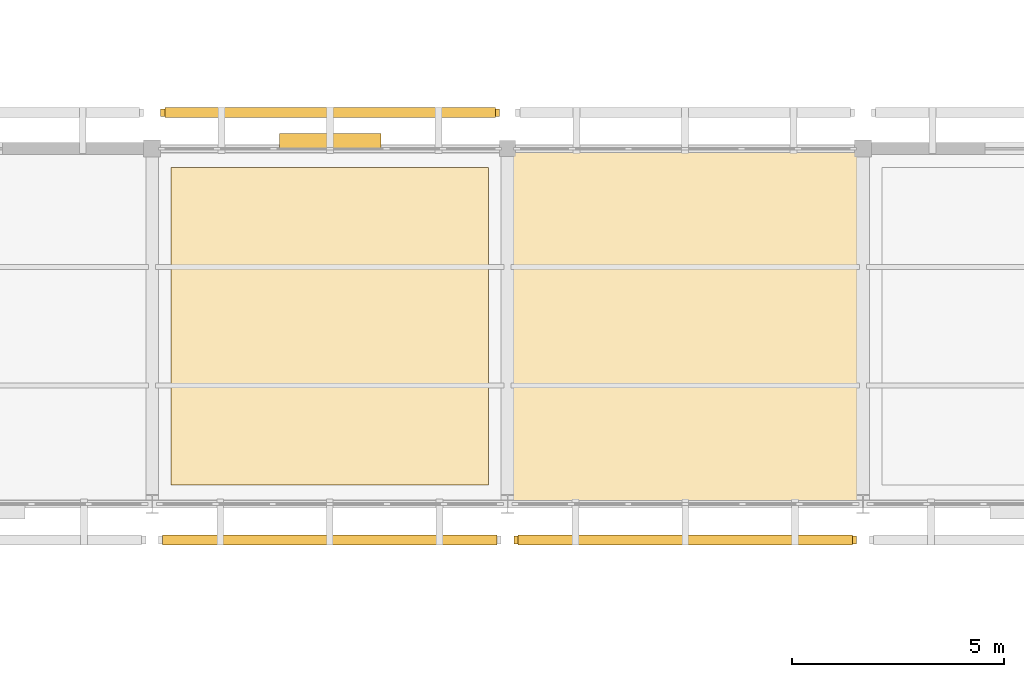
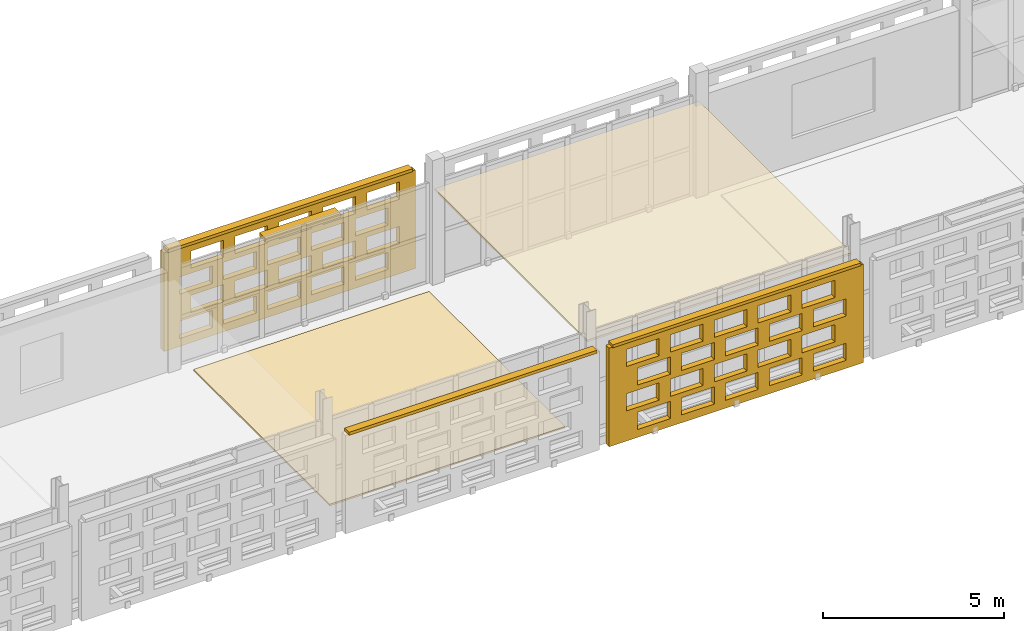
# One storey, part 141 of 166: 4 coverings, 4 shading devices, 40 openings.
"""IFC4 building model written with IfcOpenShell, lengths in metres."""

from ifc_helpers import new_model, si_unit, direction, frame, frame_2d, origin, origin_2d, place, context, subcontext, project, spatial, rectangle, extrude, material, layer, layer_set, type_object, element, save


model = new_model("IFC4")

# Units and contexts
model_context = context("Model", 3, precision=1e-05, world=origin(), true_north=direction((0.0, 1.0)))
body_context = subcontext(model_context, "Body", "Model", "MODEL_VIEW")
ifc_project = project(units=[si_unit("LENGTHUNIT", "METRE"), si_unit("AREAUNIT", "SQUARE_METRE"), si_unit("VOLUMEUNIT", "CUBIC_METRE"), si_unit("PLANEANGLEUNIT", "RADIAN"), si_unit("MASSUNIT", "GRAM", prefix="KILO")], contexts=[model_context])

# Site, building, storey
site_placement = place(None, origin())
site = spatial("IfcSite", under=ifc_project, at=site_placement, CompositionType="ELEMENT")
building_placement = place(site_placement, origin())
building = spatial("IfcBuilding", under=site, at=building_placement, Name="Varnapada Polytechnic", CompositionType="ELEMENT")
storey_placement = place(building_placement, frame((0.0, 0.0, 9.60009765625)))
storey = spatial("IfcBuildingStorey", under=building, at=storey_placement, Name="L02", CompositionType="ELEMENT", Elevation=9.60009765625)

# Covering
ifc_material_1 = material(Name="End-Grain Timber Studio Block Flooring", Category="wood")
ifc_layer_1 = layer(ifc_material_1, 0.054931640625)
ifc_layer_set_1 = layer_set([ifc_layer_1], Name="End-Grain Timber Studio Block Flooring")
covering_type_1 = type_object("IfcCoveringType", Name="Floor Finish FLR-04", PredefinedType="FLOORING", material=ifc_layer_set_1)
covering_1_placement = place(storey_placement, frame((79.800048828125, 88.199951171875, 0.0), z_axis=(0.0, 0.0, 1.0), x_axis=(1.0, 0.0, 0.0)))
element("IfcCovering", 1, at=covering_1_placement, inside=storey, type_object=covering_type_1, Name="L02 floor finish panel (10,11)", PredefinedType="FLOORING", context=body_context, shape_type="SweptSolid", body=[
    extrude(rectangle(XDim=7.5, YDim=7.5, at=origin_2d()), origin(), (0.0, 0.0, 1.0), 0.054931640625),
])

# Shading device
ifc_material_2 = material(Name="Anodised aluminium", Category="aluminium")
ifc_layer_2 = layer(ifc_material_2, 0.35009765625)
ifc_layer_set_2 = layer_set([ifc_layer_2], Name="Anodised aluminium")
shading_device_type_1 = type_object("IfcShadingDeviceType", Name="Solar Louvre LVR-01", PredefinedType="JALOUSIE", material=ifc_layer_set_2)
shading_device_1_placement = place(storey_placement, frame((79.804931640625, 92.580078125, 3.159912109375), z_axis=(0.0, 0.0, 1.0), x_axis=(1.0, 0.0, 0.0)))
element("IfcShadingDevice", 2, at=shading_device_1_placement, inside=storey, type_object=shading_device_type_1, Name="L02 aluminium sun louvre 61", PredefinedType="JALOUSIE", context=body_context, shape_type="SweptSolid", body=[
    extrude(rectangle(XDim=2.39990234375, YDim=0.340087890625, at=origin_2d()), origin(), (0.0, 0.0, 1.0), 0.1201171875),
])

# Covering
ifc_material_3 = material(Name="Deep Acoustic Auditorium Cloud Baffle")
ifc_layer_3 = layer(ifc_material_3, 0.06494140625)
ifc_layer_set_3 = layer_set([ifc_layer_3], Name="Deep Acoustic Auditorium Cloud Baffle")
covering_type_2 = type_object("IfcCoveringType", Name="Suspended Ceiling CLG-07", PredefinedType="CEILING", material=ifc_layer_set_3)
covering_2_placement = place(storey_placement, frame((88.199951171875, 88.199951171875, 3.017333984375), z_axis=(0.0, 0.0, 1.0), x_axis=(1.0, 0.0, 0.0)))
element("IfcCovering", 3, at=covering_2_placement, inside=storey, type_object=covering_type_2, Name="L02 suspended acoustic ceiling (11,11)", PredefinedType="CEILING", context=body_context, shape_type="SweptSolid", body=[
    extrude(rectangle(XDim=8.419921875, YDim=8.419921875, at=origin_2d()), origin(), (0.0, 0.0, 1.0), 0.06494140625),
])

# Covering, openings
ifc_material_4 = material(Name="Earth-toned architectural terracotta screen block", Category="masonry")
ifc_layer_4 = layer(ifc_material_4, 0.1201171875)
ifc_layer_set_4 = layer_set([ifc_layer_4], Name="Earth-toned architectural terracotta screen block")
covering_type_3 = type_object("IfcCoveringType", Name="Terracotta Screen Cladding CLD-01", PredefinedType="CLADDING", material=ifc_layer_set_4)
covering_3_placement = place(storey_placement, frame((75.800048828125, 93.25, 0.0), z_axis=(0.0, 0.0, 1.0), x_axis=(1.0, 0.0, 0.0)))
covering_3 = element("IfcCovering", 4, at=covering_3_placement, inside=storey, type_object=covering_type_3, Name="L02 perforated terracotta block screen (61)", PredefinedType="CLADDING", context=body_context, shape_type="SweptSolid", body=[
    extrude(rectangle(XDim=8.010009765625, YDim=0.179931640625, at=frame_2d((4.0048828125, 0.0))), origin(), (0.0, 0.0, 1.0), 3.31982421875),
])
opening_1_placement = place(covering_3_placement, frame((0.5048828125, 0.0, 0.265625)))
element("IfcOpeningElement", 5, at=opening_1_placement, cuts=covering_3, Name="Screen perforation TBS-L02-060.1", PredefinedType="OPENING", context=body_context, shape_type="SweptSolid", body=[
    extrude(rectangle(XDim=1.0400390625, YDim=0.5810546875, at=frame_2d((0.52001953125, 0.29052734375))), frame((0.0, 0.099853515625, 0.0), z_axis=(0.0, -1.0, 0.0), x_axis=(1.0, 0.0, 0.0)), (0.0, 0.0, 1.0), 0.199951171875),
])
opening_2_placement = place(covering_3_placement, frame((1.905029296875, 0.0, 0.265625)))
element("IfcOpeningElement", 6, at=opening_2_placement, cuts=covering_3, Name="Screen perforation TBS-L02-060.2", PredefinedType="OPENING", context=body_context, shape_type="SweptSolid", body=[
    extrude(rectangle(XDim=1.0400390625, YDim=0.5810546875, at=frame_2d((0.52001953125, 0.29052734375))), frame((0.0, 0.099853515625, 0.0), z_axis=(0.0, -1.0, 0.0), x_axis=(1.0, 0.0, 0.0)), (0.0, 0.0, 1.0), 0.199951171875),
])
opening_3_placement = place(covering_3_placement, frame((3.304931640625, 0.0, 0.265625)))
element("IfcOpeningElement", 7, at=opening_3_placement, cuts=covering_3, Name="Screen perforation TBS-L02-060.3", PredefinedType="OPENING", context=body_context, shape_type="SweptSolid", body=[
    extrude(rectangle(XDim=1.0400390625, YDim=0.5810546875, at=frame_2d((0.52001953125, 0.29052734375))), frame((0.0, 0.099853515625, 0.0), z_axis=(0.0, -1.0, 0.0), x_axis=(1.0, 0.0, 0.0)), (0.0, 0.0, 1.0), 0.199951171875),
])
opening_4_placement = place(covering_3_placement, frame((4.705078125, 0.0, 0.265625)))
element("IfcOpeningElement", 8, at=opening_4_placement, cuts=covering_3, Name="Screen perforation TBS-L02-060.4", PredefinedType="OPENING", context=body_context, shape_type="SweptSolid", body=[
    extrude(rectangle(XDim=1.0400390625, YDim=0.5810546875, at=frame_2d((0.52001953125, 0.29052734375))), frame((0.0, 0.099853515625, 0.0), z_axis=(0.0, -1.0, 0.0), x_axis=(1.0, 0.0, 0.0)), (0.0, 0.0, 1.0), 0.199951171875),
])
opening_5_placement = place(covering_3_placement, frame((6.10498046875, 0.0, 0.265625)))
element("IfcOpeningElement", 9, at=opening_5_placement, cuts=covering_3, Name="Screen perforation TBS-L02-060.5", PredefinedType="OPENING", context=body_context, shape_type="SweptSolid", body=[
    extrude(rectangle(XDim=1.0400390625, YDim=0.5810546875, at=frame_2d((0.52001953125, 0.29052734375))), frame((0.0, 0.099853515625, 0.0), z_axis=(0.0, -1.0, 0.0), x_axis=(1.0, 0.0, 0.0)), (0.0, 0.0, 1.0), 0.199951171875),
])
opening_6_placement = place(covering_3_placement, frame((0.864990234375, 0.0, 1.0126953125)))
element("IfcOpeningElement", 10, at=opening_6_placement, cuts=covering_3, Name="Screen perforation TBS-L02-060.6", PredefinedType="OPENING", context=body_context, shape_type="SweptSolid", body=[
    extrude(rectangle(XDim=1.0400390625, YDim=0.5810546875, at=frame_2d((0.52001953125, 0.29052734375))), frame((0.0, 0.099853515625, 0.0), z_axis=(0.0, -1.0, 0.0), x_axis=(1.0, 0.0, 0.0)), (0.0, 0.0, 1.0), 0.199951171875),
])
opening_7_placement = place(covering_3_placement, frame((2.264892578125, 0.0, 1.0126953125)))
element("IfcOpeningElement", 11, at=opening_7_placement, cuts=covering_3, Name="Screen perforation TBS-L02-060.7", PredefinedType="OPENING", context=body_context, shape_type="SweptSolid", body=[
    extrude(rectangle(XDim=1.0400390625, YDim=0.5810546875, at=frame_2d((0.52001953125, 0.29052734375))), frame((0.0, 0.099853515625, 0.0), z_axis=(0.0, -1.0, 0.0), x_axis=(1.0, 0.0, 0.0)), (0.0, 0.0, 1.0), 0.199951171875),
])
opening_8_placement = place(covering_3_placement, frame((3.6650390625, 0.0, 1.0126953125)))
element("IfcOpeningElement", 12, at=opening_8_placement, cuts=covering_3, Name="Screen perforation TBS-L02-060.8", PredefinedType="OPENING", context=body_context, shape_type="SweptSolid", body=[
    extrude(rectangle(XDim=1.0400390625, YDim=0.5810546875, at=frame_2d((0.52001953125, 0.29052734375))), frame((0.0, 0.099853515625, 0.0), z_axis=(0.0, -1.0, 0.0), x_axis=(1.0, 0.0, 0.0)), (0.0, 0.0, 1.0), 0.199951171875),
])
opening_9_placement = place(covering_3_placement, frame((5.06494140625, 0.0, 1.0126953125)))
element("IfcOpeningElement", 13, at=opening_9_placement, cuts=covering_3, Name="Screen perforation TBS-L02-060.9", PredefinedType="OPENING", context=body_context, shape_type="SweptSolid", body=[
    extrude(rectangle(XDim=1.0400390625, YDim=0.5810546875, at=frame_2d((0.52001953125, 0.29052734375))), frame((0.0, 0.099853515625, 0.0), z_axis=(0.0, -1.0, 0.0), x_axis=(1.0, 0.0, 0.0)), (0.0, 0.0, 1.0), 0.199951171875),
])
opening_10_placement = place(covering_3_placement, frame((6.465087890625, 0.0, 1.0126953125)))
element("IfcOpeningElement", 14, at=opening_10_placement, cuts=covering_3, Name="Screen perforation TBS-L02-060.10", PredefinedType="OPENING", context=body_context, shape_type="SweptSolid", body=[
    extrude(rectangle(XDim=1.0400390625, YDim=0.5810546875, at=frame_2d((0.52001953125, 0.29052734375))), frame((0.0, 0.099853515625, 0.0), z_axis=(0.0, -1.0, 0.0), x_axis=(1.0, 0.0, 0.0)), (0.0, 0.0, 1.0), 0.199951171875),
])
opening_11_placement = place(covering_3_placement, frame((0.5048828125, 0.0, 1.759521484375)))
element("IfcOpeningElement", 15, at=opening_11_placement, cuts=covering_3, Name="Screen perforation TBS-L02-060.11", PredefinedType="OPENING", context=body_context, shape_type="SweptSolid", body=[
    extrude(rectangle(XDim=1.0400390625, YDim=0.5810546875, at=frame_2d((0.52001953125, 0.29052734375))), frame((0.0, 0.099853515625, 0.0), z_axis=(0.0, -1.0, 0.0), x_axis=(1.0, 0.0, 0.0)), (0.0, 0.0, 1.0), 0.199951171875),
])
opening_12_placement = place(covering_3_placement, frame((1.905029296875, 0.0, 1.759521484375)))
element("IfcOpeningElement", 16, at=opening_12_placement, cuts=covering_3, Name="Screen perforation TBS-L02-060.12", PredefinedType="OPENING", context=body_context, shape_type="SweptSolid", body=[
    extrude(rectangle(XDim=1.0400390625, YDim=0.5810546875, at=frame_2d((0.52001953125, 0.29052734375))), frame((0.0, 0.099853515625, 0.0), z_axis=(0.0, -1.0, 0.0), x_axis=(1.0, 0.0, 0.0)), (0.0, 0.0, 1.0), 0.199951171875),
])
opening_13_placement = place(covering_3_placement, frame((3.304931640625, 0.0, 1.759521484375)))
element("IfcOpeningElement", 17, at=opening_13_placement, cuts=covering_3, Name="Screen perforation TBS-L02-060.13", PredefinedType="OPENING", context=body_context, shape_type="SweptSolid", body=[
    extrude(rectangle(XDim=1.0400390625, YDim=0.5810546875, at=frame_2d((0.52001953125, 0.29052734375))), frame((0.0, 0.099853515625, 0.0), z_axis=(0.0, -1.0, 0.0), x_axis=(1.0, 0.0, 0.0)), (0.0, 0.0, 1.0), 0.199951171875),
])
opening_14_placement = place(covering_3_placement, frame((4.705078125, 0.0, 1.759521484375)))
element("IfcOpeningElement", 18, at=opening_14_placement, cuts=covering_3, Name="Screen perforation TBS-L02-060.14", PredefinedType="OPENING", context=body_context, shape_type="SweptSolid", body=[
    extrude(rectangle(XDim=1.0400390625, YDim=0.5810546875, at=frame_2d((0.52001953125, 0.29052734375))), frame((0.0, 0.099853515625, 0.0), z_axis=(0.0, -1.0, 0.0), x_axis=(1.0, 0.0, 0.0)), (0.0, 0.0, 1.0), 0.199951171875),
])
opening_15_placement = place(covering_3_placement, frame((6.10498046875, 0.0, 1.759521484375)))
element("IfcOpeningElement", 19, at=opening_15_placement, cuts=covering_3, Name="Screen perforation TBS-L02-060.15", PredefinedType="OPENING", context=body_context, shape_type="SweptSolid", body=[
    extrude(rectangle(XDim=1.0400390625, YDim=0.5810546875, at=frame_2d((0.52001953125, 0.29052734375))), frame((0.0, 0.099853515625, 0.0), z_axis=(0.0, -1.0, 0.0), x_axis=(1.0, 0.0, 0.0)), (0.0, 0.0, 1.0), 0.199951171875),
])
opening_16_placement = place(covering_3_placement, frame((0.864990234375, 0.0, 2.506591796875)))
element("IfcOpeningElement", 20, at=opening_16_placement, cuts=covering_3, Name="Screen perforation TBS-L02-060.16", PredefinedType="OPENING", context=body_context, shape_type="SweptSolid", body=[
    extrude(rectangle(XDim=1.0400390625, YDim=0.5810546875, at=frame_2d((0.52001953125, 0.29052734375))), frame((0.0, 0.099853515625, 0.0), z_axis=(0.0, -1.0, 0.0), x_axis=(1.0, 0.0, 0.0)), (0.0, 0.0, 1.0), 0.199951171875),
])
opening_17_placement = place(covering_3_placement, frame((2.264892578125, 0.0, 2.506591796875)))
element("IfcOpeningElement", 21, at=opening_17_placement, cuts=covering_3, Name="Screen perforation TBS-L02-060.17", PredefinedType="OPENING", context=body_context, shape_type="SweptSolid", body=[
    extrude(rectangle(XDim=1.0400390625, YDim=0.5810546875, at=frame_2d((0.52001953125, 0.29052734375))), frame((0.0, 0.099853515625, 0.0), z_axis=(0.0, -1.0, 0.0), x_axis=(1.0, 0.0, 0.0)), (0.0, 0.0, 1.0), 0.199951171875),
])
opening_18_placement = place(covering_3_placement, frame((3.6650390625, 0.0, 2.506591796875)))
element("IfcOpeningElement", 22, at=opening_18_placement, cuts=covering_3, Name="Screen perforation TBS-L02-060.18", PredefinedType="OPENING", context=body_context, shape_type="SweptSolid", body=[
    extrude(rectangle(XDim=1.0400390625, YDim=0.5810546875, at=frame_2d((0.52001953125, 0.29052734375))), frame((0.0, 0.099853515625, 0.0), z_axis=(0.0, -1.0, 0.0), x_axis=(1.0, 0.0, 0.0)), (0.0, 0.0, 1.0), 0.199951171875),
])
opening_19_placement = place(covering_3_placement, frame((5.06494140625, 0.0, 2.506591796875)))
element("IfcOpeningElement", 23, at=opening_19_placement, cuts=covering_3, Name="Screen perforation TBS-L02-060.19", PredefinedType="OPENING", context=body_context, shape_type="SweptSolid", body=[
    extrude(rectangle(XDim=1.0400390625, YDim=0.5810546875, at=frame_2d((0.52001953125, 0.29052734375))), frame((0.0, 0.099853515625, 0.0), z_axis=(0.0, -1.0, 0.0), x_axis=(1.0, 0.0, 0.0)), (0.0, 0.0, 1.0), 0.199951171875),
])
opening_20_placement = place(covering_3_placement, frame((6.465087890625, 0.0, 2.506591796875)))
element("IfcOpeningElement", 24, at=opening_20_placement, cuts=covering_3, Name="Screen perforation TBS-L02-060.20", PredefinedType="OPENING", context=body_context, shape_type="SweptSolid", body=[
    extrude(rectangle(XDim=1.0400390625, YDim=0.5810546875, at=frame_2d((0.52001953125, 0.29052734375))), frame((0.0, 0.099853515625, 0.0), z_axis=(0.0, -1.0, 0.0), x_axis=(1.0, 0.0, 0.0)), (0.0, 0.0, 1.0), 0.199951171875),
])

covering_4_placement = place(storey_placement, frame((92.25, 83.14990234375, 0.0), z_axis=(0.0, 0.0, 1.0), x_axis=(-1.0, 0.0, 0.0)))
covering_4 = element("IfcCovering", 25, at=covering_4_placement, inside=storey, type_object=covering_type_3, Name="L02 perforated terracotta block screen (62)", PredefinedType="CLADDING", context=body_context, shape_type="SweptSolid", body=[
    extrude(rectangle(XDim=8.10009765625, YDim=0.179931640625, at=frame_2d((4.050048828125, 0.0))), origin(), (0.0, 0.0, 1.0), 3.31982421875),
])
opening_21_placement = place(covering_4_placement, frame((0.550048828125, 0.0, 0.265625)))
element("IfcOpeningElement", 26, at=opening_21_placement, cuts=covering_4, Name="Screen perforation TBS-L02-061.1", PredefinedType="OPENING", context=body_context, shape_type="SweptSolid", body=[
    extrude(rectangle(XDim=1.0400390625, YDim=0.5810546875, at=frame_2d((0.52001953125, 0.29052734375))), frame((0.0, 0.099853515625, 0.0), z_axis=(0.0, -1.0, 0.0), x_axis=(1.0, 0.0, 0.0)), (0.0, 0.0, 1.0), 0.199951171875),
])
opening_22_placement = place(covering_4_placement, frame((1.949951171875, 0.0, 0.265625)))
element("IfcOpeningElement", 27, at=opening_22_placement, cuts=covering_4, Name="Screen perforation TBS-L02-061.2", PredefinedType="OPENING", context=body_context, shape_type="SweptSolid", body=[
    extrude(rectangle(XDim=1.0400390625, YDim=0.5810546875, at=frame_2d((0.52001953125, 0.29052734375))), frame((0.0, 0.099853515625, 0.0), z_axis=(0.0, -1.0, 0.0), x_axis=(1.0, 0.0, 0.0)), (0.0, 0.0, 1.0), 0.199951171875),
])
opening_23_placement = place(covering_4_placement, frame((3.35009765625, 0.0, 0.265625)))
element("IfcOpeningElement", 28, at=opening_23_placement, cuts=covering_4, Name="Screen perforation TBS-L02-061.3", PredefinedType="OPENING", context=body_context, shape_type="SweptSolid", body=[
    extrude(rectangle(XDim=1.0400390625, YDim=0.5810546875, at=frame_2d((0.52001953125, 0.29052734375))), frame((0.0, 0.099853515625, 0.0), z_axis=(0.0, -1.0, 0.0), x_axis=(1.0, 0.0, 0.0)), (0.0, 0.0, 1.0), 0.199951171875),
])
opening_24_placement = place(covering_4_placement, frame((4.75, 0.0, 0.265625)))
element("IfcOpeningElement", 29, at=opening_24_placement, cuts=covering_4, Name="Screen perforation TBS-L02-061.4", PredefinedType="OPENING", context=body_context, shape_type="SweptSolid", body=[
    extrude(rectangle(XDim=1.0400390625, YDim=0.5810546875, at=frame_2d((0.52001953125, 0.29052734375))), frame((0.0, 0.099853515625, 0.0), z_axis=(0.0, -1.0, 0.0), x_axis=(1.0, 0.0, 0.0)), (0.0, 0.0, 1.0), 0.199951171875),
])
opening_25_placement = place(covering_4_placement, frame((6.14990234375, 0.0, 0.265625)))
element("IfcOpeningElement", 30, at=opening_25_placement, cuts=covering_4, Name="Screen perforation TBS-L02-061.5", PredefinedType="OPENING", context=body_context, shape_type="SweptSolid", body=[
    extrude(rectangle(XDim=1.0400390625, YDim=0.5810546875, at=frame_2d((0.52001953125, 0.29052734375))), frame((0.0, 0.099853515625, 0.0), z_axis=(0.0, -1.0, 0.0), x_axis=(1.0, 0.0, 0.0)), (0.0, 0.0, 1.0), 0.199951171875),
])
opening_26_placement = place(covering_4_placement, frame((0.909912109375, 0.0, 1.0126953125)))
element("IfcOpeningElement", 31, at=opening_26_placement, cuts=covering_4, Name="Screen perforation TBS-L02-061.6", PredefinedType="OPENING", context=body_context, shape_type="SweptSolid", body=[
    extrude(rectangle(XDim=1.0400390625, YDim=0.5810546875, at=frame_2d((0.52001953125, 0.29052734375))), frame((0.0, 0.099853515625, 0.0), z_axis=(0.0, -1.0, 0.0), x_axis=(1.0, 0.0, 0.0)), (0.0, 0.0, 1.0), 0.199951171875),
])
opening_27_placement = place(covering_4_placement, frame((2.31005859375, 0.0, 1.0126953125)))
element("IfcOpeningElement", 32, at=opening_27_placement, cuts=covering_4, Name="Screen perforation TBS-L02-061.7", PredefinedType="OPENING", context=body_context, shape_type="SweptSolid", body=[
    extrude(rectangle(XDim=1.0400390625, YDim=0.5810546875, at=frame_2d((0.52001953125, 0.29052734375))), frame((0.0, 0.099853515625, 0.0), z_axis=(0.0, -1.0, 0.0), x_axis=(1.0, 0.0, 0.0)), (0.0, 0.0, 1.0), 0.199951171875),
])
opening_28_placement = place(covering_4_placement, frame((3.7099609375, 0.0, 1.0126953125)))
element("IfcOpeningElement", 33, at=opening_28_placement, cuts=covering_4, Name="Screen perforation TBS-L02-061.8", PredefinedType="OPENING", context=body_context, shape_type="SweptSolid", body=[
    extrude(rectangle(XDim=1.0400390625, YDim=0.5810546875, at=frame_2d((0.52001953125, 0.29052734375))), frame((0.0, 0.099853515625, 0.0), z_axis=(0.0, -1.0, 0.0), x_axis=(1.0, 0.0, 0.0)), (0.0, 0.0, 1.0), 0.199951171875),
])
opening_29_placement = place(covering_4_placement, frame((5.110107421875, 0.0, 1.0126953125)))
element("IfcOpeningElement", 34, at=opening_29_placement, cuts=covering_4, Name="Screen perforation TBS-L02-061.9", PredefinedType="OPENING", context=body_context, shape_type="SweptSolid", body=[
    extrude(rectangle(XDim=1.0400390625, YDim=0.5810546875, at=frame_2d((0.52001953125, 0.29052734375))), frame((0.0, 0.099853515625, 0.0), z_axis=(0.0, -1.0, 0.0), x_axis=(1.0, 0.0, 0.0)), (0.0, 0.0, 1.0), 0.199951171875),
])
opening_30_placement = place(covering_4_placement, frame((6.510009765625, 0.0, 1.0126953125)))
element("IfcOpeningElement", 35, at=opening_30_placement, cuts=covering_4, Name="Screen perforation TBS-L02-061.10", PredefinedType="OPENING", context=body_context, shape_type="SweptSolid", body=[
    extrude(rectangle(XDim=1.0400390625, YDim=0.5810546875, at=frame_2d((0.52001953125, 0.29052734375))), frame((0.0, 0.099853515625, 0.0), z_axis=(0.0, -1.0, 0.0), x_axis=(1.0, 0.0, 0.0)), (0.0, 0.0, 1.0), 0.199951171875),
])
opening_31_placement = place(covering_4_placement, frame((0.550048828125, 0.0, 1.759521484375)))
element("IfcOpeningElement", 36, at=opening_31_placement, cuts=covering_4, Name="Screen perforation TBS-L02-061.11", PredefinedType="OPENING", context=body_context, shape_type="SweptSolid", body=[
    extrude(rectangle(XDim=1.0400390625, YDim=0.5810546875, at=frame_2d((0.52001953125, 0.29052734375))), frame((0.0, 0.099853515625, 0.0), z_axis=(0.0, -1.0, 0.0), x_axis=(1.0, 0.0, 0.0)), (0.0, 0.0, 1.0), 0.199951171875),
])
opening_32_placement = place(covering_4_placement, frame((1.949951171875, 0.0, 1.759521484375)))
element("IfcOpeningElement", 37, at=opening_32_placement, cuts=covering_4, Name="Screen perforation TBS-L02-061.12", PredefinedType="OPENING", context=body_context, shape_type="SweptSolid", body=[
    extrude(rectangle(XDim=1.0400390625, YDim=0.5810546875, at=frame_2d((0.52001953125, 0.29052734375))), frame((0.0, 0.099853515625, 0.0), z_axis=(0.0, -1.0, 0.0), x_axis=(1.0, 0.0, 0.0)), (0.0, 0.0, 1.0), 0.199951171875),
])
opening_33_placement = place(covering_4_placement, frame((3.35009765625, 0.0, 1.759521484375)))
element("IfcOpeningElement", 38, at=opening_33_placement, cuts=covering_4, Name="Screen perforation TBS-L02-061.13", PredefinedType="OPENING", context=body_context, shape_type="SweptSolid", body=[
    extrude(rectangle(XDim=1.0400390625, YDim=0.5810546875, at=frame_2d((0.52001953125, 0.29052734375))), frame((0.0, 0.099853515625, 0.0), z_axis=(0.0, -1.0, 0.0), x_axis=(1.0, 0.0, 0.0)), (0.0, 0.0, 1.0), 0.199951171875),
])
opening_34_placement = place(covering_4_placement, frame((4.75, 0.0, 1.759521484375)))
element("IfcOpeningElement", 39, at=opening_34_placement, cuts=covering_4, Name="Screen perforation TBS-L02-061.14", PredefinedType="OPENING", context=body_context, shape_type="SweptSolid", body=[
    extrude(rectangle(XDim=1.0400390625, YDim=0.5810546875, at=frame_2d((0.52001953125, 0.29052734375))), frame((0.0, 0.099853515625, 0.0), z_axis=(0.0, -1.0, 0.0), x_axis=(1.0, 0.0, 0.0)), (0.0, 0.0, 1.0), 0.199951171875),
])
opening_35_placement = place(covering_4_placement, frame((6.14990234375, 0.0, 1.759521484375)))
element("IfcOpeningElement", 40, at=opening_35_placement, cuts=covering_4, Name="Screen perforation TBS-L02-061.15", PredefinedType="OPENING", context=body_context, shape_type="SweptSolid", body=[
    extrude(rectangle(XDim=1.0400390625, YDim=0.5810546875, at=frame_2d((0.52001953125, 0.29052734375))), frame((0.0, 0.099853515625, 0.0), z_axis=(0.0, -1.0, 0.0), x_axis=(1.0, 0.0, 0.0)), (0.0, 0.0, 1.0), 0.199951171875),
])
opening_36_placement = place(covering_4_placement, frame((0.909912109375, 0.0, 2.506591796875)))
element("IfcOpeningElement", 41, at=opening_36_placement, cuts=covering_4, Name="Screen perforation TBS-L02-061.16", PredefinedType="OPENING", context=body_context, shape_type="SweptSolid", body=[
    extrude(rectangle(XDim=1.0400390625, YDim=0.5810546875, at=frame_2d((0.52001953125, 0.29052734375))), frame((0.0, 0.099853515625, 0.0), z_axis=(0.0, -1.0, 0.0), x_axis=(1.0, 0.0, 0.0)), (0.0, 0.0, 1.0), 0.199951171875),
])
opening_37_placement = place(covering_4_placement, frame((2.31005859375, 0.0, 2.506591796875)))
element("IfcOpeningElement", 42, at=opening_37_placement, cuts=covering_4, Name="Screen perforation TBS-L02-061.17", PredefinedType="OPENING", context=body_context, shape_type="SweptSolid", body=[
    extrude(rectangle(XDim=1.0400390625, YDim=0.5810546875, at=frame_2d((0.52001953125, 0.29052734375))), frame((0.0, 0.099853515625, 0.0), z_axis=(0.0, -1.0, 0.0), x_axis=(1.0, 0.0, 0.0)), (0.0, 0.0, 1.0), 0.199951171875),
])
opening_38_placement = place(covering_4_placement, frame((3.7099609375, 0.0, 2.506591796875)))
element("IfcOpeningElement", 43, at=opening_38_placement, cuts=covering_4, Name="Screen perforation TBS-L02-061.18", PredefinedType="OPENING", context=body_context, shape_type="SweptSolid", body=[
    extrude(rectangle(XDim=1.0400390625, YDim=0.5810546875, at=frame_2d((0.52001953125, 0.29052734375))), frame((0.0, 0.099853515625, 0.0), z_axis=(0.0, -1.0, 0.0), x_axis=(1.0, 0.0, 0.0)), (0.0, 0.0, 1.0), 0.199951171875),
])
opening_39_placement = place(covering_4_placement, frame((5.110107421875, 0.0, 2.506591796875)))
element("IfcOpeningElement", 44, at=opening_39_placement, cuts=covering_4, Name="Screen perforation TBS-L02-061.19", PredefinedType="OPENING", context=body_context, shape_type="SweptSolid", body=[
    extrude(rectangle(XDim=1.0400390625, YDim=0.5810546875, at=frame_2d((0.52001953125, 0.29052734375))), frame((0.0, 0.099853515625, 0.0), z_axis=(0.0, -1.0, 0.0), x_axis=(1.0, 0.0, 0.0)), (0.0, 0.0, 1.0), 0.199951171875),
])
opening_40_placement = place(covering_4_placement, frame((6.510009765625, 0.0, 2.506591796875)))
element("IfcOpeningElement", 45, at=opening_40_placement, cuts=covering_4, Name="Screen perforation TBS-L02-061.20", PredefinedType="OPENING", context=body_context, shape_type="SweptSolid", body=[
    extrude(rectangle(XDim=1.0400390625, YDim=0.5810546875, at=frame_2d((0.52001953125, 0.29052734375))), frame((0.0, 0.099853515625, 0.0), z_axis=(0.0, -1.0, 0.0), x_axis=(1.0, 0.0, 0.0)), (0.0, 0.0, 1.0), 0.199951171875),
])

# Shading devices
ifc_layer_5 = layer(ifc_material_4, 0.179931640625)
ifc_layer_set_5 = layer_set([ifc_layer_5], Name="Earth-toned architectural terracotta screen block")
shading_device_type_2 = type_object("IfcShadingDeviceType", Name="Terracotta Screen SCR-01", PredefinedType="USERDEFINED", material=ifc_layer_set_5)
shading_device_2_placement = place(storey_placement, frame((79.800048828125, 83.14990234375, 3.309814453125), z_axis=(0.0, 0.0, 1.0), x_axis=(-1.0, 0.0, 0.0)))
element("IfcShadingDevice", 46, at=shading_device_2_placement, inside=storey, type_object=shading_device_type_2, Name="L02 perforated terracotta screen hood 285", ObjectType="SCREEN", PredefinedType="USERDEFINED", context=body_context, shape_type="SweptSolid", body=[
    extrude(rectangle(XDim=7.89990234375, YDim=0.239990234375, at=origin_2d()), origin(), (0.0, 0.0, 1.0), 0.10009765625),
])
shading_device_3_placement = place(storey_placement, frame((79.804931640625, 93.25, 3.309814453125), z_axis=(0.0, 0.0, 1.0), x_axis=(1.0, 0.0, 0.0)))
element("IfcShadingDevice", 47, at=shading_device_3_placement, inside=storey, type_object=shading_device_type_2, Name="L02 perforated terracotta screen hood 286", ObjectType="SCREEN", PredefinedType="USERDEFINED", context=body_context, shape_type="SweptSolid", body=[
    extrude(rectangle(XDim=7.81005859375, YDim=0.239990234375, at=origin_2d()), origin(), (0.0, 0.0, 1.0), 0.10009765625),
])
shading_device_4_placement = place(storey_placement, frame((88.199951171875, 83.14990234375, 3.309814453125), z_axis=(0.0, 0.0, 1.0), x_axis=(-1.0, 0.0, 0.0)))
element("IfcShadingDevice", 48, at=shading_device_4_placement, inside=storey, type_object=shading_device_type_2, Name="L02 perforated terracotta screen hood 287", ObjectType="SCREEN", PredefinedType="USERDEFINED", context=body_context, shape_type="SweptSolid", body=[
    extrude(rectangle(XDim=7.89990234375, YDim=0.239990234375, at=origin_2d()), origin(), (0.0, 0.0, 1.0), 0.10009765625),
])

save(model, "model.ifc")
